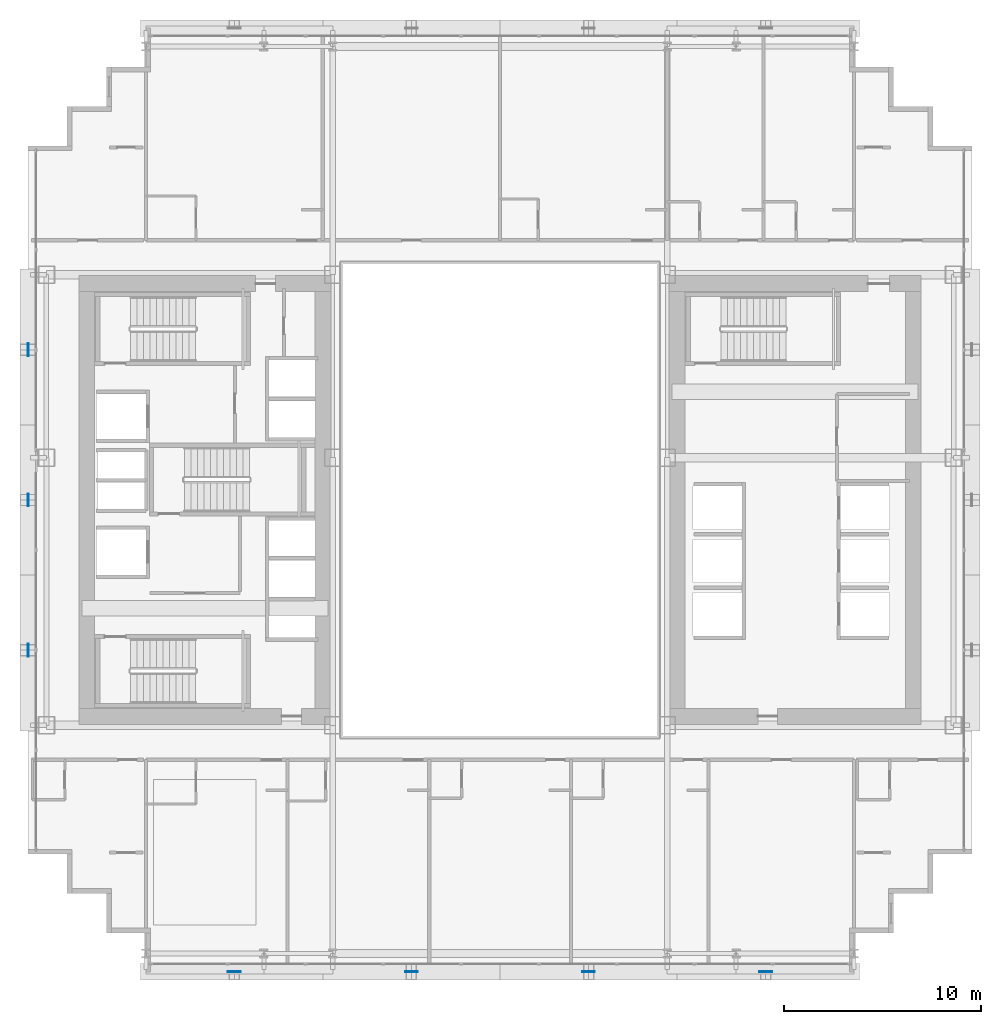
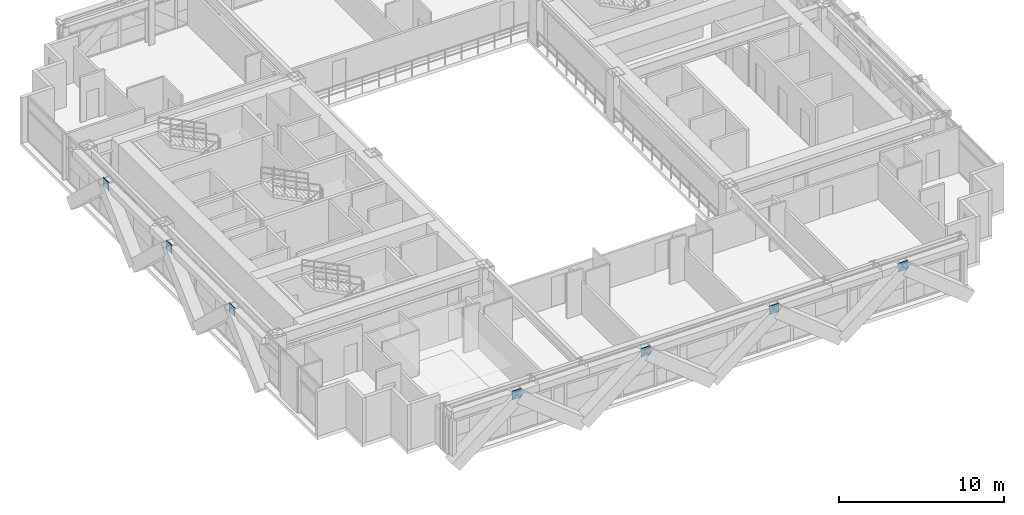
# One storey, part 25 of 35: 7 plates.
"""IFC4 building model written with IfcOpenShell, lengths in metres."""

from ifc_helpers import new_model, si_unit, direction, frame, origin, origin_2d, place, context, subcontext, project, spatial, rectangle, extrude, source, transform, mapped, material, layer, layer_set, type_object, element, save


model = new_model("IFC4")

# Units and contexts
model_context = context("Model", 3, precision=1e-05, world=origin(), true_north=direction((0.0, 1.0)))
body_context = subcontext(model_context, "Body", "Model", "MODEL_VIEW")
ifc_project = project(units=[si_unit("LENGTHUNIT", "METRE"), si_unit("AREAUNIT", "SQUARE_METRE"), si_unit("VOLUMEUNIT", "CUBIC_METRE"), si_unit("PLANEANGLEUNIT", "RADIAN"), si_unit("MASSUNIT", "GRAM", prefix="KILO")], contexts=[model_context])

# Site, building, storey
site_placement = place(None, origin())
site = spatial("IfcSite", under=ifc_project, at=site_placement, CompositionType="ELEMENT")
building_placement = place(site_placement, origin())
building = spatial("IfcBuilding", under=site, at=building_placement, Name="Ocotamira Hotel", CompositionType="ELEMENT")
storey_placement = place(building_placement, frame((0.0, 0.0, 78.0)))
storey = spatial("IfcBuildingStorey", under=building, at=storey_placement, Name="L19", CompositionType="ELEMENT", Elevation=78.0)

# Plates
ifc_material = material(Name="Pale-metal coated steel ASTM A572 Grade 50", Category="steel")
ifc_layer = layer(ifc_material, 0.0400390625)
ifc_layer_set = layer_set([ifc_layer], Name="Pale-metal coated steel ASTM A572 Grade 50")
plate_type = type_object("IfcPlateType", Name="PLT-GUSSET-40", PredefinedType="SHEET", material=ifc_layer_set)
shared_shape_1 = source(origin(), body_context, "Body", "SweptSolid", [
    extrude(rectangle(XDim=0.64990234375, YDim=0.0400390625, at=origin_2d()), origin(), (0.0, 0.0, 1.0), 0.64990234375),
])
for number, where, z_axis, x_axis, name in (
    (1, (18.5, 2.030029296875, 2.775146484375), (0.0, 0.0, 1.0), (1.0, 0.0, 0.0), "L19 Exoskeleton Diagrid S0.1 End Gusset B"),
    (2, (27.5, 2.030029296875, 2.775146484375), (0.0, 0.0, 1.0), (1.0, 0.0, 0.0), "L19 Exoskeleton Diagrid S1.1 End Gusset B"),
    (3, (36.5, 2.030029296875, 2.775146484375), (0.0, 0.0, 1.0), (1.0, 0.0, 0.0), "L19 Exoskeleton Diagrid S2.1 End Gusset B"),
    (4, (45.5, 2.030029296875, 2.775146484375), (0.0, 0.0, 1.0), (1.0, 0.0, 0.0), "L19 Exoskeleton Diagrid S3.1 End Gusset B"),
):
    element("IfcPlate", number, at=place(storey_placement, frame(where, z_axis=z_axis, x_axis=x_axis)), inside=storey, type_object=plate_type, Name=name, PredefinedType="SHEET", context=body_context, shape_type="MappedRepresentation", body=[
        mapped(shared_shape_1, transform((0.0, 0.0, 0.0), scale=1.0)),
    ])
shared_shape_2 = source(origin(), body_context, "Body", "SweptSolid", [
    extrude(rectangle(XDim=0.0400390625, YDim=0.64990234375, at=origin_2d()), origin(), (0.0, 0.0, 1.0), 0.64990234375),
])
for number, where, z_axis, x_axis, name in (
    (5, (8.030029296875, 18.36669921875, 2.775146484375), (0.0, 0.0, 1.0), (1.0, 0.0, 0.0), "L19 Exoskeleton Diagrid W0.1 End Gusset B"),
    (6, (8.030029296875, 26.0, 2.775146484375), (0.0, 0.0, 1.0), (1.0, 0.0, 0.0), "L19 Exoskeleton Diagrid W1.1 End Gusset B"),
    (7, (8.030029296875, 33.63330078125, 2.775146484375), (0.0, 0.0, 1.0), (1.0, 0.0, 0.0), "L19 Exoskeleton Diagrid W2.1 End Gusset B"),
):
    element("IfcPlate", number, at=place(storey_placement, frame(where, z_axis=z_axis, x_axis=x_axis)), inside=storey, type_object=plate_type, Name=name, PredefinedType="SHEET", context=body_context, shape_type="MappedRepresentation", body=[
        mapped(shared_shape_2, transform((0.0, 0.0, 0.0), scale=1.0)),
    ])

save(model, "model.ifc")
